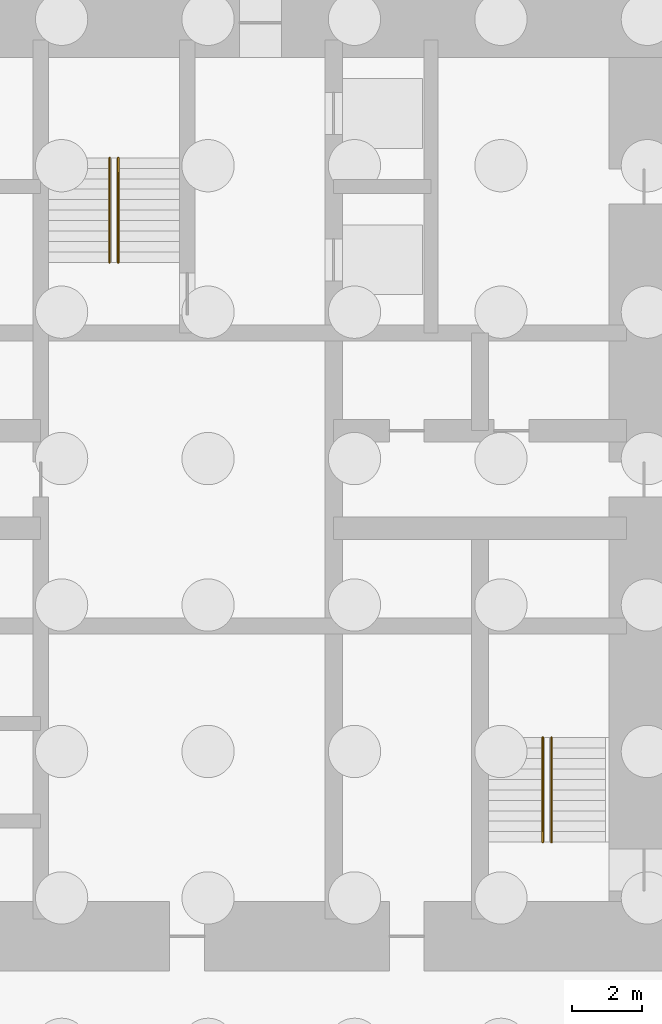
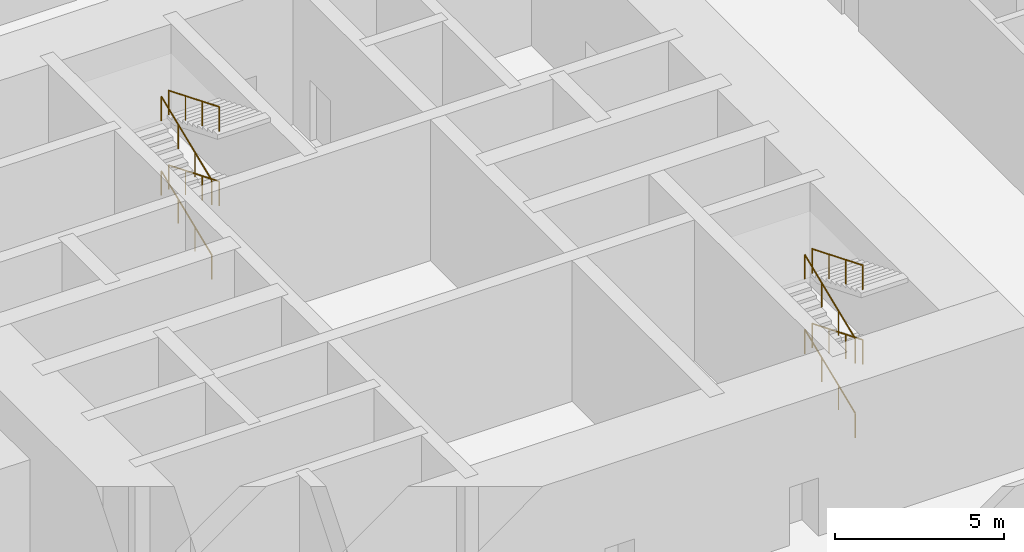
# One storey, part 17 of 18: 8 railings.
"""IFC4 building model written with IfcOpenShell, lengths in metres."""

from ifc_helpers import new_model, si_unit, direction, frame, origin, origin_2d, place, context, subcontext, project, spatial, circle, extrude, material, type_object, element, save


model = new_model("IFC4")

# Units and contexts
model_context = context("Model", 3, precision=1e-05, world=origin(), true_north=direction((0.0, 1.0)))
body_context = subcontext(model_context, "Body", "Model", "MODEL_VIEW")
ifc_project = project(units=[si_unit("LENGTHUNIT", "METRE"), si_unit("AREAUNIT", "SQUARE_METRE"), si_unit("VOLUMEUNIT", "CUBIC_METRE"), si_unit("PLANEANGLEUNIT", "RADIAN"), si_unit("MASSUNIT", "GRAM", prefix="KILO")], contexts=[model_context])

# Site, building, storey
site_placement = place(None, origin())
site = spatial("IfcSite", under=ifc_project, at=site_placement, CompositionType="ELEMENT")
building_placement = place(site_placement, origin())
building = spatial("IfcBuilding", under=site, at=building_placement, Name="Dunama Terrace Hotel", CompositionType="ELEMENT")
storey_placement = place(building_placement, frame((0.0, 0.0, -5.39990234375)))
storey = spatial("IfcBuildingStorey", under=building, at=storey_placement, Name="B1", CompositionType="ELEMENT", Elevation=-5.39990234375)

# Railings
ifc_material = material(Name="Stainless steel handrail", Category="steel")
railing_type = type_object("IfcRailingType", Name="Stair handrail 900", PredefinedType="HANDRAIL", material=ifc_material)
railing_1_placement = place(storey_placement, frame((27.175048828125, 35.625, 0.12255859375)))
element("IfcRailing", 1, at=railing_1_placement, inside=storey, type_object=railing_type, Name="Handrail ST1 B1", PredefinedType="HANDRAIL", context=body_context, shape_type="SweptSolid", body=[
    extrude(circle(Radius=0.02392578125, at=origin_2d()), frame((0.0, 0.0, 0.8759765625), z_axis=(0.0, 0.92554455658, 0.37863871142), x_axis=(-1.0, 0.0, 0.0)), (0.0, 0.0, 1.0), 3.241455078125),
    extrude(circle(Radius=0.02099609375, at=origin_2d()), origin(), (0.0, 0.0, 1.0), 0.851806640625),
    extrude(circle(Radius=0.02099609375, at=origin_2d()), frame((0.0, 1.0, 0.4091796875)), (0.0, 0.0, 1.0), 0.851806640625),
    extrude(circle(Radius=0.02099609375, at=origin_2d()), frame((0.0, 2.0, 0.818115234375)), (0.0, 0.0, 1.0), 0.851806640625),
    extrude(circle(Radius=0.02099609375, at=origin_2d()), frame((0.0, 3.0, 1.227294921875)), (0.0, 0.0, 1.0), 0.851806640625),
])
railing_2_placement = place(storey_placement, frame((27.425048828125, 38.625, 1.47265625)))
element("IfcRailing", 2, at=railing_2_placement, inside=storey, type_object=railing_type, Name="Handrail ST1 B1", PredefinedType="HANDRAIL", context=body_context, shape_type="SweptSolid", body=[
    extrude(circle(Radius=0.02392578125, at=origin_2d()), frame((0.0, 0.0, 0.8759765625), z_axis=(0.0, -0.92554455658, 0.37863871142), x_axis=(1.0, 0.0, 0.0)), (0.0, 0.0, 1.0), 3.241455078125),
    extrude(circle(Radius=0.02099609375, at=origin_2d()), origin(), (0.0, 0.0, 1.0), 0.851806640625),
    extrude(circle(Radius=0.02099609375, at=origin_2d()), frame((0.0, -1.0, 0.4091796875)), (0.0, 0.0, 1.0), 0.851806640625),
    extrude(circle(Radius=0.02099609375, at=origin_2d()), frame((0.0, -2.0, 0.818115234375)), (0.0, 0.0, 1.0), 0.851806640625),
    extrude(circle(Radius=0.02099609375, at=origin_2d()), frame((0.0, -3.0, 1.227294921875)), (0.0, 0.0, 1.0), 0.851806640625),
])
railing_3_placement = place(storey_placement, frame((27.175048828125, 35.625, 2.822509765625)))
element("IfcRailing", 3, at=railing_3_placement, inside=storey, type_object=railing_type, Name="Handrail ST1 B1", PredefinedType="HANDRAIL", context=body_context, shape_type="SweptSolid", body=[
    extrude(circle(Radius=0.02392578125, at=origin_2d()), frame((0.0, 0.0, 0.8759765625), z_axis=(0.0, 0.92554455658, 0.37863871142), x_axis=(-1.0, 0.0, 0.0)), (0.0, 0.0, 1.0), 3.241455078125),
    extrude(circle(Radius=0.02099609375, at=origin_2d()), origin(), (0.0, 0.0, 1.0), 0.851806640625),
    extrude(circle(Radius=0.02099609375, at=origin_2d()), frame((0.0, 1.0, 0.4091796875)), (0.0, 0.0, 1.0), 0.851806640625),
    extrude(circle(Radius=0.02099609375, at=origin_2d()), frame((0.0, 2.0, 0.818115234375)), (0.0, 0.0, 1.0), 0.851806640625),
    extrude(circle(Radius=0.02099609375, at=origin_2d()), frame((0.0, 3.0, 1.227294921875)), (0.0, 0.0, 1.0), 0.851806640625),
])
railing_4_placement = place(storey_placement, frame((27.425048828125, 38.625, 4.172607421875)))
element("IfcRailing", 4, at=railing_4_placement, inside=storey, type_object=railing_type, Name="Handrail ST1 B1", PredefinedType="HANDRAIL", context=body_context, shape_type="SweptSolid", body=[
    extrude(circle(Radius=0.02392578125, at=origin_2d()), frame((0.0, 0.0, 0.8759765625), z_axis=(0.0, -0.92554455658, 0.37863871142), x_axis=(1.0, 0.0, 0.0)), (0.0, 0.0, 1.0), 3.241455078125),
    extrude(circle(Radius=0.02099609375, at=origin_2d()), origin(), (0.0, 0.0, 1.0), 0.851806640625),
    extrude(circle(Radius=0.02099609375, at=origin_2d()), frame((0.0, -1.0, 0.4091796875)), (0.0, 0.0, 1.0), 0.851806640625),
    extrude(circle(Radius=0.02099609375, at=origin_2d()), frame((0.0, -2.0, 0.818115234375)), (0.0, 0.0, 1.0), 0.851806640625),
    extrude(circle(Radius=0.02099609375, at=origin_2d()), frame((0.0, -3.0, 1.227294921875)), (0.0, 0.0, 1.0), 0.851806640625),
])
railing_5_placement = place(storey_placement, frame((39.60009765625, 19.0, 0.12255859375)))
element("IfcRailing", 5, at=railing_5_placement, inside=storey, type_object=railing_type, Name="Handrail ST2 B1", PredefinedType="HANDRAIL", context=body_context, shape_type="SweptSolid", body=[
    extrude(circle(Radius=0.02392578125, at=origin_2d()), frame((0.0, 0.0, 0.8759765625), z_axis=(0.0, 0.92554455658, 0.37863871142), x_axis=(-1.0, 0.0, 0.0)), (0.0, 0.0, 1.0), 3.241455078125),
    extrude(circle(Radius=0.02099609375, at=origin_2d()), origin(), (0.0, 0.0, 1.0), 0.851806640625),
    extrude(circle(Radius=0.02099609375, at=origin_2d()), frame((0.0, 1.0, 0.4091796875)), (0.0, 0.0, 1.0), 0.851806640625),
    extrude(circle(Radius=0.02099609375, at=origin_2d()), frame((0.0, 2.0, 0.818115234375)), (0.0, 0.0, 1.0), 0.851806640625),
    extrude(circle(Radius=0.02099609375, at=origin_2d()), frame((0.0, 3.0, 1.227294921875)), (0.0, 0.0, 1.0), 0.851806640625),
])
railing_6_placement = place(storey_placement, frame((39.85009765625, 22.0, 1.47265625)))
element("IfcRailing", 6, at=railing_6_placement, inside=storey, type_object=railing_type, Name="Handrail ST2 B1", PredefinedType="HANDRAIL", context=body_context, shape_type="SweptSolid", body=[
    extrude(circle(Radius=0.02392578125, at=origin_2d()), frame((0.0, 0.0, 0.8759765625), z_axis=(0.0, -0.92554455658, 0.37863871142), x_axis=(1.0, 0.0, 0.0)), (0.0, 0.0, 1.0), 3.241455078125),
    extrude(circle(Radius=0.02099609375, at=origin_2d()), origin(), (0.0, 0.0, 1.0), 0.851806640625),
    extrude(circle(Radius=0.02099609375, at=origin_2d()), frame((0.0, -1.0, 0.4091796875)), (0.0, 0.0, 1.0), 0.851806640625),
    extrude(circle(Radius=0.02099609375, at=origin_2d()), frame((0.0, -2.0, 0.818115234375)), (0.0, 0.0, 1.0), 0.851806640625),
    extrude(circle(Radius=0.02099609375, at=origin_2d()), frame((0.0, -3.0, 1.227294921875)), (0.0, 0.0, 1.0), 0.851806640625),
])
railing_7_placement = place(storey_placement, frame((39.60009765625, 19.0, 2.822509765625)))
element("IfcRailing", 7, at=railing_7_placement, inside=storey, type_object=railing_type, Name="Handrail ST2 B1", PredefinedType="HANDRAIL", context=body_context, shape_type="SweptSolid", body=[
    extrude(circle(Radius=0.02392578125, at=origin_2d()), frame((0.0, 0.0, 0.8759765625), z_axis=(0.0, 0.92554455658, 0.37863871142), x_axis=(-1.0, 0.0, 0.0)), (0.0, 0.0, 1.0), 3.241455078125),
    extrude(circle(Radius=0.02099609375, at=origin_2d()), origin(), (0.0, 0.0, 1.0), 0.851806640625),
    extrude(circle(Radius=0.02099609375, at=origin_2d()), frame((0.0, 1.0, 0.4091796875)), (0.0, 0.0, 1.0), 0.851806640625),
    extrude(circle(Radius=0.02099609375, at=origin_2d()), frame((0.0, 2.0, 0.818115234375)), (0.0, 0.0, 1.0), 0.851806640625),
    extrude(circle(Radius=0.02099609375, at=origin_2d()), frame((0.0, 3.0, 1.227294921875)), (0.0, 0.0, 1.0), 0.851806640625),
])
railing_8_placement = place(storey_placement, frame((39.85009765625, 22.0, 4.172607421875)))
element("IfcRailing", 8, at=railing_8_placement, inside=storey, type_object=railing_type, Name="Handrail ST2 B1", PredefinedType="HANDRAIL", context=body_context, shape_type="SweptSolid", body=[
    extrude(circle(Radius=0.02392578125, at=origin_2d()), frame((0.0, 0.0, 0.8759765625), z_axis=(0.0, -0.92554455658, 0.37863871142), x_axis=(1.0, 0.0, 0.0)), (0.0, 0.0, 1.0), 3.241455078125),
    extrude(circle(Radius=0.02099609375, at=origin_2d()), origin(), (0.0, 0.0, 1.0), 0.851806640625),
    extrude(circle(Radius=0.02099609375, at=origin_2d()), frame((0.0, -1.0, 0.4091796875)), (0.0, 0.0, 1.0), 0.851806640625),
    extrude(circle(Radius=0.02099609375, at=origin_2d()), frame((0.0, -2.0, 0.818115234375)), (0.0, 0.0, 1.0), 0.851806640625),
    extrude(circle(Radius=0.02099609375, at=origin_2d()), frame((0.0, -3.0, 1.227294921875)), (0.0, 0.0, 1.0), 0.851806640625),
])

save(model, "model.ifc")
